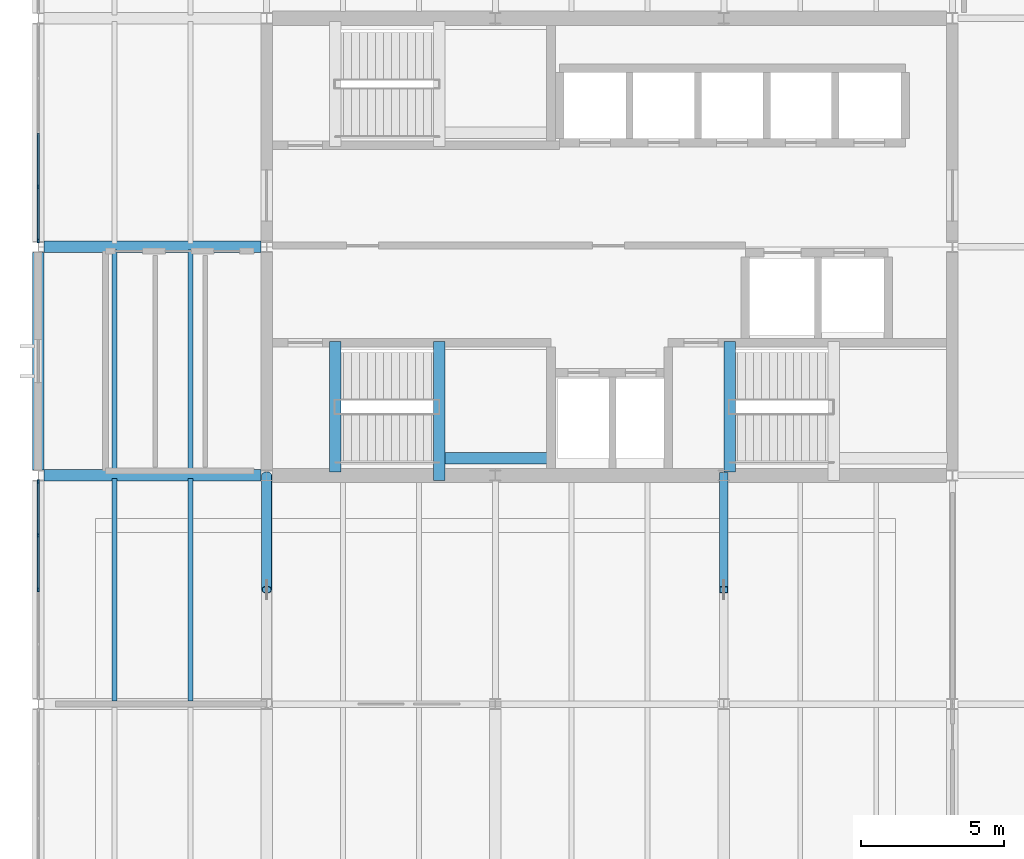
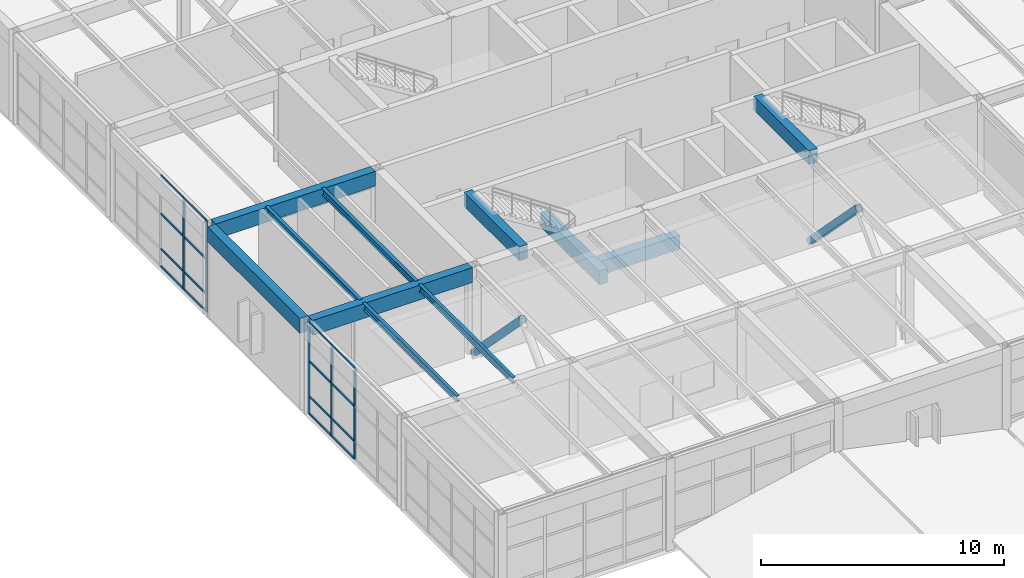
# One storey, part 13 of 60: 23 members, 11 beams, 2 elements without a shape of their own.
"""IFC4 building model written with IfcOpenShell, lengths in metres."""

from ifc_helpers import new_model, si_unit, direction, frame, origin, origin_2d, place, context, subcontext, project, spatial, rectangle, hollow_rectangle, hollow_circle, i_section, extrude, material, layer, layer_set, material_profile, profile_set, type_object, element, aggregate, save


model = new_model("IFC4")

# Units and contexts
model_context = context("Model", 3, precision=1e-05, world=origin(), true_north=direction((0.0, 1.0)))
body_context = subcontext(model_context, "Body", "Model", "MODEL_VIEW")
ifc_project = project(units=[si_unit("LENGTHUNIT", "METRE"), si_unit("AREAUNIT", "SQUARE_METRE"), si_unit("VOLUMEUNIT", "CUBIC_METRE"), si_unit("PLANEANGLEUNIT", "RADIAN"), si_unit("MASSUNIT", "GRAM", prefix="KILO")], contexts=[model_context])

# Site, building, storey
site_placement = place(None, origin())
site = spatial("IfcSite", under=ifc_project, at=site_placement, CompositionType="ELEMENT")
building_placement = place(site_placement, origin())
building = spatial("IfcBuilding", under=site, at=building_placement, Name="Varnela Railside Interchange", CompositionType="ELEMENT")
storey_placement = place(building_placement, frame((0.0, 0.0, 6.300048828125)))
storey = spatial("IfcBuildingStorey", under=building, at=storey_placement, Name="L01", CompositionType="ELEMENT", Elevation=6.300048828125)

# Beams
ifc_material_1 = material(Name="Steel AR 350 (350 MPa)", Category="steel")
ifc_material_profile_1 = material_profile(ifc_material_1, i_section(OverallWidth=0.1650390625, OverallDepth=0.31005859375, WebThickness=0.005859375, FlangeThickness=0.009765625, at=origin_2d()), Name="W310x38.7")
ifc_profile_set_1 = profile_set([ifc_material_profile_1], Name="Steel AR 350 (350 MPa)")
beam_type_1 = type_object("IfcBeamType", Name="Composite Floor Joist J-04", PredefinedType="JOIST", material=ifc_profile_set_1)
for number, where, z_axis, x_axis, name in (
    (1, (6.669921875, 46.114501953125, 4.445068359375), (0.0, 1.0, 0.0), (-1.0, 0.0, 0.0), "Composite Floor Joist J-04 (L01) (BM-1462)"),
    (2, (9.330078125, 46.114501953125, 4.445068359375), (0.0, 1.0, 0.0), (-1.0, 0.0, 0.0), "Composite Floor Joist J-04 (L01) (BM-1463)"),
    (3, (6.669921875, 54.114501953125, 4.445068359375), (0.0, 1.0, 0.0), (-1.0, 0.0, 0.0), "Composite Floor Joist J-04 (L01) (BM-1464)"),
    (4, (9.330078125, 54.114501953125, 4.445068359375), (0.0, 1.0, 0.0), (-1.0, 0.0, 0.0), "Composite Floor Joist J-04 (L01) (BM-1465)"),
):
    element("IfcBeam", number, at=place(storey_placement, frame(where, z_axis=z_axis, x_axis=x_axis)), inside=storey, type_object=beam_type_1, Name=name, PredefinedType="JOIST", context=body_context, shape_type="SweptSolid", body=[
        extrude(i_section(OverallWidth=0.1650390625, OverallDepth=0.31005859375, WebThickness=0.005859375, FlangeThickness=0.009765625, at=origin_2d()), origin(), (0.0, 0.0, 1.0), 7.77099609375),
    ])
ifc_material_2 = material(Name="Concrete C40", Category="concrete")
ifc_material_profile_2 = material_profile(ifc_material_2, rectangle(XDim=0.39990234375, YDim=0.699951171875, at=origin_2d()), Name="RC 400x700")
ifc_profile_set_2 = profile_set([ifc_material_profile_2], Name="Concrete C40")
beam_type_2 = type_object("IfcBeamType", Name="Concrete Tie Beam B-01", PredefinedType="BEAM", material=ifc_profile_set_2)
beam_1_placement = place(storey_placement, frame((14.39990234375, 54.1201171875, 4.25), z_axis=(0.0, 1.0, 0.0), x_axis=(-1.0, 0.0, 0.0)))
element("IfcBeam", 5, at=beam_1_placement, inside=storey, type_object=beam_type_2, Name="Concrete Tie Beam B-01 (L01) (BM-1821)", PredefinedType="BEAM", context=body_context, shape_type="SweptSolid", body=[
    extrude(rectangle(XDim=0.39990234375, YDim=0.699951171875, at=origin_2d()), origin(), (0.0, 0.0, 1.0), 4.559814453125),
])
beam_2_placement = place(storey_placement, frame((18.0400390625, 53.820068359375, 1.93994140625), z_axis=(0.0, 1.0, 0.0), x_axis=(-1.0, 0.0, 0.0)))
element("IfcBeam", 6, at=beam_2_placement, inside=storey, type_object=beam_type_2, Name="Concrete Tie Beam B-01 (L01) (BM-1810)", PredefinedType="BEAM", context=body_context, shape_type="SweptSolid", body=[
    extrude(rectangle(XDim=0.39990234375, YDim=0.699951171875, at=origin_2d()), origin(), (0.0, 0.0, 1.0), 4.85986328125),
])
beam_3_placement = place(storey_placement, frame((18.239990234375, 54.60009765625, 1.93994140625), z_axis=(1.0, 0.0, 0.0), x_axis=(0.0, 1.0, 0.0)))
element("IfcBeam", 7, at=beam_3_placement, inside=storey, type_object=beam_type_2, Name="Concrete Tie Beam B-01 (L01) (BM-1799)", PredefinedType="BEAM", context=body_context, shape_type="SweptSolid", body=[
    extrude(rectangle(XDim=0.39990234375, YDim=0.699951171875, at=origin_2d()), origin(), (0.0, 0.0, 1.0), 3.780029296875),
])
beam_4_placement = place(storey_placement, frame((28.199951171875, 54.1201171875, 4.25), z_axis=(0.0, 1.0, 0.0), x_axis=(-1.0, 0.0, 0.0)))
element("IfcBeam", 8, at=beam_4_placement, inside=storey, type_object=beam_type_2, Name="Concrete Tie Beam B-01 (L01) (BM-1822)", PredefinedType="BEAM", context=body_context, shape_type="SweptSolid", body=[
    extrude(rectangle(XDim=0.39990234375, YDim=0.699951171875, at=origin_2d()), origin(), (0.0, 0.0, 1.0), 4.559814453125),
])

# Curtain wall, members
ifc_material_3 = material(Name="Aluminium 6063-T6", Category="aluminium")
ifc_layer = layer(ifc_material_3, 0.035888671875)
ifc_layer_set = layer_set([ifc_layer], Name="Aluminium 6063-T6")
curtain_wall_type = type_object("IfcCurtainWallType", Name="Operations Wing Facade Curtain Wall CW-03", PredefinedType="USERDEFINED", material=ifc_layer_set)
curtain_wall_1_placement = place(storey_placement, origin())
curtain_wall_1 = element("IfcCurtainWall", 9, at=curtain_wall_1_placement, inside=storey, type_object=curtain_wall_type, Name="Curtain Wall CW-03 (L01) (CW-027)", ObjectType="CURTAIN WALL", PredefinedType="USERDEFINED")
ifc_material_profile_3 = material_profile(ifc_material_3, rectangle(XDim=0.06005859375, YDim=0.139892578125, at=origin_2d()), Name="ALU 60x140")
ifc_profile_set_3 = profile_set([ifc_material_profile_3], Name="Aluminium 6063-T6")
member_type_1 = type_object("IfcMemberType", Name="Curtain Wall Mullion ML-01", PredefinedType="MULLION", material=ifc_profile_set_3)
member_1_placement = place(storey_placement, frame((4.0, 50.0, 0.0), z_axis=(0.0, 0.0, 1.0), x_axis=(-1.0, 0.0, 0.0)))
member_1 = element("IfcMember", 10, at=member_1_placement, type_object=member_type_1, Name="CW-03 mullion 3", PredefinedType="MULLION", context=body_context, shape_type="SweptSolid", body=[
    extrude(rectangle(XDim=0.06005859375, YDim=0.139892578125, at=origin_2d()), origin(), (0.0, 0.0, 1.0), 4.599853515625),
])
member_2_placement = place(storey_placement, frame((4.0, 51.9033203125, 0.0), z_axis=(0.0, 0.0, 1.0), x_axis=(-1.0, 0.0, 0.0)))
member_2 = element("IfcMember", 11, at=member_2_placement, type_object=member_type_1, Name="CW-03 mullion 4", PredefinedType="MULLION", context=body_context, shape_type="SweptSolid", body=[
    extrude(rectangle(XDim=0.06005859375, YDim=0.139892578125, at=origin_2d()), origin(), (0.0, 0.0, 1.0), 4.599853515625),
])
member_3_placement = place(storey_placement, frame((4.0, 53.776611328125, 0.0), z_axis=(0.0, 0.0, 1.0), x_axis=(-1.0, 0.0, 0.0)))
member_3 = element("IfcMember", 12, at=member_3_placement, type_object=member_type_1, Name="CW-03 mullion 5", PredefinedType="MULLION", context=body_context, shape_type="SweptSolid", body=[
    extrude(rectangle(XDim=0.06005859375, YDim=0.139892578125, at=origin_2d()), origin(), (0.0, 0.0, 1.0), 4.599853515625),
])

curtain_wall_2_placement = place(storey_placement, origin())
curtain_wall_2 = element("IfcCurtainWall", 13, at=curtain_wall_2_placement, inside=storey, type_object=curtain_wall_type, Name="Curtain Wall CW-03 (L01) (CW-034)", ObjectType="CURTAIN WALL", PredefinedType="USERDEFINED")
member_4_placement = place(storey_placement, frame((4.0, 62.223388671875, 0.0), z_axis=(0.0, 0.0, 1.0), x_axis=(-1.0, 0.0, 0.0)))
member_4 = element("IfcMember", 14, at=member_4_placement, type_object=member_type_1, Name="CW-03 mullion 1", PredefinedType="MULLION", context=body_context, shape_type="SweptSolid", body=[
    extrude(rectangle(XDim=0.06005859375, YDim=0.139892578125, at=origin_2d()), origin(), (0.0, 0.0, 1.0), 4.599853515625),
])
member_5_placement = place(storey_placement, frame((4.0, 64.0966796875, 0.0), z_axis=(0.0, 0.0, 1.0), x_axis=(-1.0, 0.0, 0.0)))
member_5 = element("IfcMember", 15, at=member_5_placement, type_object=member_type_1, Name="CW-03 mullion 2", PredefinedType="MULLION", context=body_context, shape_type="SweptSolid", body=[
    extrude(rectangle(XDim=0.06005859375, YDim=0.139892578125, at=origin_2d()), origin(), (0.0, 0.0, 1.0), 4.599853515625),
])

# Member
ifc_material_profile_4 = material_profile(ifc_material_3, rectangle(XDim=0.06005859375, YDim=0.110107421875, at=origin_2d()), Name="ALU 60x110")
ifc_profile_set_4 = profile_set([ifc_material_profile_4], Name="Aluminium 6063-T6")
member_type_2 = type_object("IfcMemberType", Name="Curtain Wall Transom TR-01", PredefinedType="USERDEFINED", material=ifc_profile_set_4)
member_6_placement = place(storey_placement, frame((4.0, 50.030029296875, 0.030029296875), z_axis=(0.0, 1.0, 0.0), x_axis=(-1.0, 0.0, 0.0)))
member_6 = element("IfcMember", 16, at=member_6_placement, type_object=member_type_2, Name="CW-03 transom 3.1", ObjectType="TRANSOM", PredefinedType="USERDEFINED", context=body_context, shape_type="SweptSolid", body=[
    extrude(rectangle(XDim=0.06005859375, YDim=0.110107421875, at=origin_2d()), origin(), (0.0, 0.0, 1.0), 1.84326171875),
])

member_7_placement = place(storey_placement, frame((4.0, 50.030029296875, 0.89990234375), z_axis=(0.0, 1.0, 0.0), x_axis=(-1.0, 0.0, 0.0)))
member_7 = element("IfcMember", 17, at=member_7_placement, type_object=member_type_2, Name="CW-03 transom 3.2", ObjectType="TRANSOM", PredefinedType="USERDEFINED", context=body_context, shape_type="SweptSolid", body=[
    extrude(rectangle(XDim=0.06005859375, YDim=0.110107421875, at=origin_2d()), origin(), (0.0, 0.0, 1.0), 1.84326171875),
])

member_8_placement = place(storey_placement, frame((4.0, 50.030029296875, 2.66796875), z_axis=(0.0, 1.0, 0.0), x_axis=(-1.0, 0.0, 0.0)))
member_8 = element("IfcMember", 18, at=member_8_placement, type_object=member_type_2, Name="CW-03 transom 3.3", ObjectType="TRANSOM", PredefinedType="USERDEFINED", context=body_context, shape_type="SweptSolid", body=[
    extrude(rectangle(XDim=0.06005859375, YDim=0.110107421875, at=origin_2d()), origin(), (0.0, 0.0, 1.0), 1.84326171875),
])

member_9_placement = place(storey_placement, frame((4.0, 50.030029296875, 4.570068359375), z_axis=(0.0, 1.0, 0.0), x_axis=(-1.0, 0.0, 0.0)))
member_9 = element("IfcMember", 19, at=member_9_placement, type_object=member_type_2, Name="CW-03 transom 3.4", ObjectType="TRANSOM", PredefinedType="USERDEFINED", context=body_context, shape_type="SweptSolid", body=[
    extrude(rectangle(XDim=0.06005859375, YDim=0.110107421875, at=origin_2d()), origin(), (0.0, 0.0, 1.0), 1.84326171875),
])

member_10_placement = place(storey_placement, frame((4.0, 51.933349609375, 0.030029296875), z_axis=(0.0, 1.0, 0.0), x_axis=(-1.0, 0.0, 0.0)))
member_10 = element("IfcMember", 20, at=member_10_placement, type_object=member_type_2, Name="CW-03 transom 4.1", ObjectType="TRANSOM", PredefinedType="USERDEFINED", context=body_context, shape_type="SweptSolid", body=[
    extrude(rectangle(XDim=0.06005859375, YDim=0.110107421875, at=origin_2d()), origin(), (0.0, 0.0, 1.0), 1.813232421875),
])

member_11_placement = place(storey_placement, frame((4.0, 51.933349609375, 0.89990234375), z_axis=(0.0, 1.0, 0.0), x_axis=(-1.0, 0.0, 0.0)))
member_11 = element("IfcMember", 21, at=member_11_placement, type_object=member_type_2, Name="CW-03 transom 4.2", ObjectType="TRANSOM", PredefinedType="USERDEFINED", context=body_context, shape_type="SweptSolid", body=[
    extrude(rectangle(XDim=0.06005859375, YDim=0.110107421875, at=origin_2d()), origin(), (0.0, 0.0, 1.0), 1.813232421875),
])

member_12_placement = place(storey_placement, frame((4.0, 51.933349609375, 2.66796875), z_axis=(0.0, 1.0, 0.0), x_axis=(-1.0, 0.0, 0.0)))
member_12 = element("IfcMember", 22, at=member_12_placement, type_object=member_type_2, Name="CW-03 transom 4.3", ObjectType="TRANSOM", PredefinedType="USERDEFINED", context=body_context, shape_type="SweptSolid", body=[
    extrude(rectangle(XDim=0.06005859375, YDim=0.110107421875, at=origin_2d()), origin(), (0.0, 0.0, 1.0), 1.813232421875),
])

member_13_placement = place(storey_placement, frame((4.0, 51.933349609375, 4.570068359375), z_axis=(0.0, 1.0, 0.0), x_axis=(-1.0, 0.0, 0.0)))
member_13 = element("IfcMember", 23, at=member_13_placement, type_object=member_type_2, Name="CW-03 transom 4.4", ObjectType="TRANSOM", PredefinedType="USERDEFINED", context=body_context, shape_type="SweptSolid", body=[
    extrude(rectangle(XDim=0.06005859375, YDim=0.110107421875, at=origin_2d()), origin(), (0.0, 0.0, 1.0), 1.813232421875),
])

aggregate(curtain_wall_1, [member_1, member_2, member_3, member_6, member_7, member_8, member_9, member_10, member_11, member_12, member_13])

member_14_placement = place(storey_placement, frame((4.0, 62.25341796875, 0.030029296875), z_axis=(0.0, 1.0, 0.0), x_axis=(-1.0, 0.0, 0.0)))
member_14 = element("IfcMember", 24, at=member_14_placement, type_object=member_type_2, Name="CW-03 transom 1.1", ObjectType="TRANSOM", PredefinedType="USERDEFINED", context=body_context, shape_type="SweptSolid", body=[
    extrude(rectangle(XDim=0.06005859375, YDim=0.110107421875, at=origin_2d()), origin(), (0.0, 0.0, 1.0), 1.813232421875),
])

member_15_placement = place(storey_placement, frame((4.0, 62.25341796875, 0.89990234375), z_axis=(0.0, 1.0, 0.0), x_axis=(-1.0, 0.0, 0.0)))
member_15 = element("IfcMember", 25, at=member_15_placement, type_object=member_type_2, Name="CW-03 transom 1.2", ObjectType="TRANSOM", PredefinedType="USERDEFINED", context=body_context, shape_type="SweptSolid", body=[
    extrude(rectangle(XDim=0.06005859375, YDim=0.110107421875, at=origin_2d()), origin(), (0.0, 0.0, 1.0), 1.813232421875),
])

member_16_placement = place(storey_placement, frame((4.0, 62.25341796875, 2.66796875), z_axis=(0.0, 1.0, 0.0), x_axis=(-1.0, 0.0, 0.0)))
member_16 = element("IfcMember", 26, at=member_16_placement, type_object=member_type_2, Name="CW-03 transom 1.3", ObjectType="TRANSOM", PredefinedType="USERDEFINED", context=body_context, shape_type="SweptSolid", body=[
    extrude(rectangle(XDim=0.06005859375, YDim=0.110107421875, at=origin_2d()), origin(), (0.0, 0.0, 1.0), 1.813232421875),
])

member_17_placement = place(storey_placement, frame((4.0, 62.25341796875, 4.570068359375), z_axis=(0.0, 1.0, 0.0), x_axis=(-1.0, 0.0, 0.0)))
member_17 = element("IfcMember", 27, at=member_17_placement, type_object=member_type_2, Name="CW-03 transom 1.4", ObjectType="TRANSOM", PredefinedType="USERDEFINED", context=body_context, shape_type="SweptSolid", body=[
    extrude(rectangle(XDim=0.06005859375, YDim=0.110107421875, at=origin_2d()), origin(), (0.0, 0.0, 1.0), 1.813232421875),
])

member_18_placement = place(storey_placement, frame((4.0, 64.126708984375, 0.030029296875), z_axis=(0.0, 1.0, 0.0), x_axis=(-1.0, 0.0, 0.0)))
member_18 = element("IfcMember", 28, at=member_18_placement, type_object=member_type_2, Name="CW-03 transom 2.1", ObjectType="TRANSOM", PredefinedType="USERDEFINED", context=body_context, shape_type="SweptSolid", body=[
    extrude(rectangle(XDim=0.06005859375, YDim=0.110107421875, at=origin_2d()), origin(), (0.0, 0.0, 1.0), 1.84326171875),
])

member_19_placement = place(storey_placement, frame((4.0, 64.126708984375, 0.89990234375), z_axis=(0.0, 1.0, 0.0), x_axis=(-1.0, 0.0, 0.0)))
member_19 = element("IfcMember", 29, at=member_19_placement, type_object=member_type_2, Name="CW-03 transom 2.2", ObjectType="TRANSOM", PredefinedType="USERDEFINED", context=body_context, shape_type="SweptSolid", body=[
    extrude(rectangle(XDim=0.06005859375, YDim=0.110107421875, at=origin_2d()), origin(), (0.0, 0.0, 1.0), 1.84326171875),
])

member_20_placement = place(storey_placement, frame((4.0, 64.126708984375, 2.66796875), z_axis=(0.0, 1.0, 0.0), x_axis=(-1.0, 0.0, 0.0)))
member_20 = element("IfcMember", 30, at=member_20_placement, type_object=member_type_2, Name="CW-03 transom 2.3", ObjectType="TRANSOM", PredefinedType="USERDEFINED", context=body_context, shape_type="SweptSolid", body=[
    extrude(rectangle(XDim=0.06005859375, YDim=0.110107421875, at=origin_2d()), origin(), (0.0, 0.0, 1.0), 1.84326171875),
])

member_21_placement = place(storey_placement, frame((4.0, 64.126708984375, 4.570068359375), z_axis=(0.0, 1.0, 0.0), x_axis=(-1.0, 0.0, 0.0)))
member_21 = element("IfcMember", 31, at=member_21_placement, type_object=member_type_2, Name="CW-03 transom 2.4", ObjectType="TRANSOM", PredefinedType="USERDEFINED", context=body_context, shape_type="SweptSolid", body=[
    extrude(rectangle(XDim=0.06005859375, YDim=0.110107421875, at=origin_2d()), origin(), (0.0, 0.0, 1.0), 1.84326171875),
])

aggregate(curtain_wall_2, [member_4, member_5, member_14, member_15, member_16, member_17, member_18, member_19, member_20, member_21])

ifc_material_profile_5 = material_profile(ifc_material_1, hollow_rectangle(XDim=0.300048828125, YDim=0.300048828125, WallThickness=0.01611328125, at=origin_2d()), Name="HSS 300x300x16")
ifc_profile_set_5 = profile_set([ifc_material_profile_5], Name="Steel AR 350 (350 MPa)")
member_type_3 = type_object("IfcMemberType", Name="Lateral Chevron Brace BR-01", PredefinedType="BRACE", material=ifc_profile_set_5)
member_22_placement = place(storey_placement, frame((28.0, 54.0, 0.14990234375), z_axis=(0.0, -0.698315330267, 0.715790262238), x_axis=(1.0, 0.0, 0.0)))
element("IfcMember", 32, at=member_22_placement, inside=storey, type_object=member_type_3, Name="Lateral Chevron Brace BR-01 (L01) (MB-0074)", PredefinedType="BRACE", context=body_context, shape_type="SweptSolid", body=[
    extrude(hollow_rectangle(XDim=0.300048828125, YDim=0.300048828125, WallThickness=0.01611328125, at=origin_2d()), origin(), (0.0, 0.0, 1.0), 5.72802734375),
])

# Beams
ifc_material_4 = material(Name="Concrete C40 precast", Category="concrete")
ifc_material_profile_6 = material_profile(ifc_material_4, rectangle(XDim=0.39990234375, YDim=0.75, at=origin_2d()), Name="PC 400x750")
ifc_profile_set_6 = profile_set([ifc_material_profile_6], Name="Concrete C40 precast")
beam_type_3 = type_object("IfcBeamType", Name="Precast Facade Spandrel SP-03", PredefinedType="SPANDREL", material=ifc_profile_set_6)
for number, where, z_axis, x_axis, name in (
    (33, (4.198974609375, 54.0, 4.224853515625), (1.0, 0.0, 0.0), (0.0, 1.0, 0.0), "Precast Facade Spandrel SP-03 (L01) (BM-1653)"),
    (34, (4.198974609375, 62.0, 4.224853515625), (1.0, 0.0, 0.0), (0.0, 1.0, 0.0), "Precast Facade Spandrel SP-03 (L01) (BM-1666)"),
):
    element("IfcBeam", number, at=place(storey_placement, frame(where, z_axis=z_axis, x_axis=x_axis)), inside=storey, type_object=beam_type_3, Name=name, PredefinedType="SPANDREL", context=body_context, shape_type="SweptSolid", body=[
        extrude(rectangle(XDim=0.39990234375, YDim=0.75, at=origin_2d()), origin(), (0.0, 0.0, 1.0), 7.6005859375),
    ])
beam_5_placement = place(storey_placement, frame((4.0, 54.193603515625, 4.224853515625), z_axis=(0.0, 1.0, 0.0), x_axis=(-1.0, 0.0, 0.0)))
element("IfcBeam", 35, at=beam_5_placement, inside=storey, type_object=beam_type_3, Name="Precast Facade Spandrel SP-03 (L01) (BM-1740)", PredefinedType="SPANDREL", context=body_context, shape_type="SweptSolid", body=[
    extrude(rectangle(XDim=0.39990234375, YDim=0.75, at=origin_2d()), origin(), (0.0, 0.0, 1.0), 7.61279296875),
])

# Member
ifc_material_profile_7 = material_profile(ifc_material_1, hollow_circle(Radius=0.177734375, WallThickness=0.02001953125, at=origin_2d()), Name="CHS 355.6x20")
ifc_profile_set_7 = profile_set([ifc_material_profile_7], Name="Steel AR 350 (350 MPa)")
member_type_4 = type_object("IfcMemberType", Name="Tubular Core Brace BR-10", PredefinedType="BRACE", material=ifc_profile_set_7)
member_23_placement = place(storey_placement, frame((12.0, 54.0, 0.14990234375), z_axis=(0.0, -0.698315330267, 0.715790262238), x_axis=(1.0, 0.0, 0.0)))
element("IfcMember", 36, at=member_23_placement, inside=storey, type_object=member_type_4, Name="Tubular Core Brace BR-10 (L01) (MB-0072)", PredefinedType="BRACE", context=body_context, shape_type="SweptSolid", body=[
    extrude(hollow_circle(Radius=0.177734375, WallThickness=0.02001953125, at=origin_2d()), origin(), (0.0, 0.0, 1.0), 5.72802734375),
])

save(model, "model.ifc")
